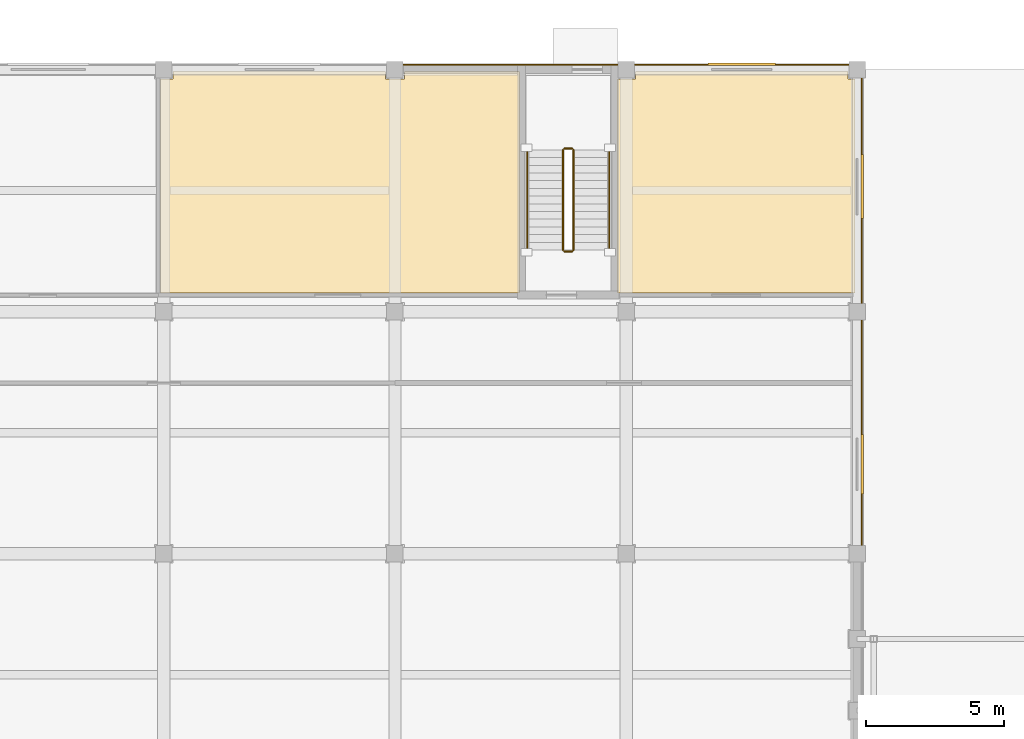
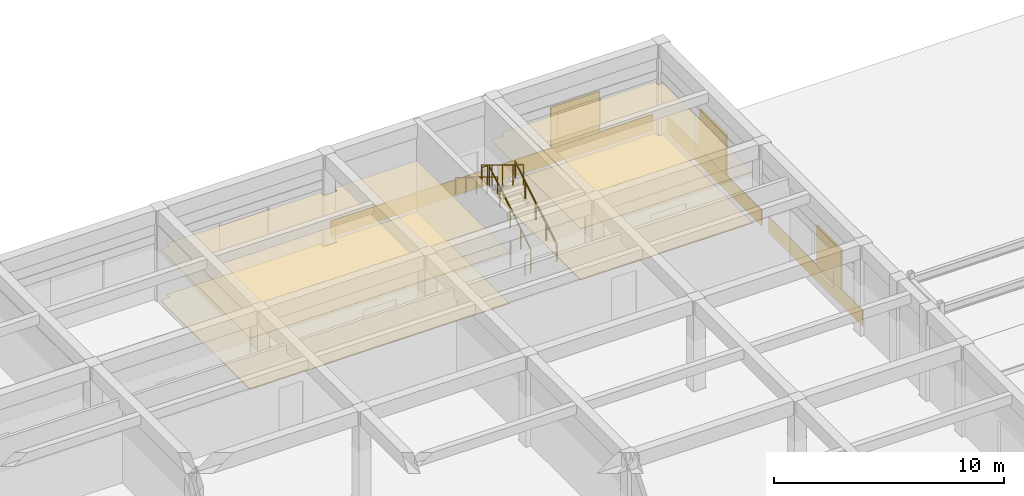
# One storey, part 55 of 58: 8 coverings, 6 railings, 3 shading devices.
"""IFC4 building model written with IfcOpenShell, lengths in metres."""

from ifc_helpers import new_model, si_unit, direction, frame, origin, origin_2d, place, context, subcontext, project, spatial, polyline, rectangle, circle, outline, extrude, material, layer, layer_set, type_object, element, save


model = new_model("IFC4")

# Units and contexts
model_context = context("Model", 3, precision=1e-05, world=origin(), true_north=direction((0.0, 1.0)))
body_context = subcontext(model_context, "Body", "Model", "MODEL_VIEW")
ifc_project = project(units=[si_unit("LENGTHUNIT", "METRE"), si_unit("AREAUNIT", "SQUARE_METRE"), si_unit("VOLUMEUNIT", "CUBIC_METRE"), si_unit("PLANEANGLEUNIT", "RADIAN"), si_unit("MASSUNIT", "GRAM", prefix="KILO")], contexts=[model_context])

# Site, building, storey
site_placement = place(None, origin())
site = spatial("IfcSite", under=ifc_project, at=site_placement, CompositionType="ELEMENT")
building_placement = place(site_placement, origin())
building = spatial("IfcBuilding", under=site, at=building_placement, Name="Kemercrest Conservatory and Botanical Centre", CompositionType="ELEMENT")
storey_placement = place(building_placement, origin())
storey = spatial("IfcBuildingStorey", under=building, at=storey_placement, Name="L00", CompositionType="ELEMENT", Elevation=0.0)

# Coverings
ifc_material_1 = material(Name="Honed limestone almasik ashlar rainscreen", Category="masonry")
ifc_layer_1 = layer(ifc_material_1, 0.0400390625)
ifc_layer_set_1 = layer_set([ifc_layer_1], Name="Honed limestone almasik ashlar rainscreen")
covering_type_1 = type_object("IfcCoveringType", Name="CV-CLD040", PredefinedType="CLADDING", material=ifc_layer_set_1)
covering_1_placement = place(storey_placement, origin())
element("IfcCovering", 1, at=covering_1_placement, inside=storey, type_object=covering_type_1, Name="Exterior stone spandrel cladding (WAL:L00:EXT-080)", PredefinedType="CLADDING", context=body_context, shape_type="SweptSolid", body=[
    extrude(outline(polyline([(92.14990234375, 105.110107421875), (92.18994140625, 105.110107421875), (92.18994140625, 113.2900390625), (92.14990234375, 113.2900390625), (92.14990234375, 105.110107421875)])), origin(), (0.0, 0.0, 1.0), 0.85009765625),
])
covering_2_placement = place(storey_placement, origin())
element("IfcCovering", 2, at=covering_2_placement, inside=storey, type_object=covering_type_1, Name="Exterior stone spandrel cladding (WAL:L00:EXT-081)", PredefinedType="CLADDING", context=body_context, shape_type="SweptSolid", body=[
    extrude(outline(polyline([(92.14990234375, 113.909912109375), (92.18994140625, 113.909912109375), (92.18994140625, 122.090087890625), (92.14990234375, 122.090087890625), (92.14990234375, 113.909912109375)])), origin(), (0.0, 0.0, 1.0), 0.85009765625),
])
covering_3_placement = place(storey_placement, origin())
element("IfcCovering", 3, at=covering_3_placement, inside=storey, type_object=covering_type_1, Name="Exterior stone spandrel cladding (WAL:L00:EXT-082)", PredefinedType="CLADDING", context=body_context, shape_type="SweptSolid", body=[
    extrude(outline(polyline([(91.68994140625, 122.550048828125), (91.68994140625, 122.590087890625), (83.909912109375, 122.590087890625), (83.909912109375, 122.550048828125), (91.68994140625, 122.550048828125)])), origin(), (0.0, 0.0, 1.0), 0.85009765625),
])
covering_4_placement = place(storey_placement, origin())
element("IfcCovering", 4, at=covering_4_placement, inside=storey, type_object=covering_type_1, Name="Exterior stone spandrel cladding (WAL:L00:EXT-083)", PredefinedType="CLADDING", context=body_context, shape_type="SweptSolid", body=[
    extrude(outline(polyline([(83.2900390625, 122.550048828125), (83.2900390625, 122.590087890625), (75.510009765625, 122.590087890625), (75.510009765625, 122.550048828125), (83.2900390625, 122.550048828125)])), origin(), (0.0, 0.0, 1.0), 0.85009765625),
])
ifc_material_2 = material(Name="Perforated acoustic gypsum and mineral-fibre suspended ceiling", Category="gypsum")
ifc_layer_2 = layer(ifc_material_2, 0.034912109375)
ifc_layer_set_2 = layer_set([ifc_layer_2], Name="Perforated acoustic gypsum and mineral-fibre suspended ceiling")
covering_type_2 = type_object("IfcCoveringType", Name="CV-CLG035", PredefinedType="CEILING", material=ifc_layer_set_2)
covering_5_placement = place(storey_placement, frame((0.0, 0.0, 2.699951171875)))
element("IfcCovering", 5, at=covering_5_placement, inside=storey, type_object=covering_type_2, Name="Botanical Education Resource Room suspended acoustic ceiling", PredefinedType="CEILING", context=body_context, shape_type="SweptSolid", body=[
    extrude(outline(polyline([(66.679931640625, 114.280029296875), (79.719970703125, 114.280029296875), (79.719970703125, 122.320068359375), (75.5400390625, 122.320068359375), (75.5400390625, 122.06005859375), (74.860107421875, 122.06005859375), (74.860107421875, 122.320068359375), (67.139892578125, 122.320068359375), (67.139892578125, 122.06005859375), (66.679931640625, 122.06005859375), (66.679931640625, 114.280029296875)])), origin(), (0.0, 0.0, 1.0), 0.03515625),
])
covering_6_placement = place(storey_placement, frame((0.0, 0.0, 2.699951171875)))
element("IfcCovering", 6, at=covering_6_placement, inside=storey, type_object=covering_type_2, Name="Curatorial Receiving Office suspended acoustic ceiling", PredefinedType="CEILING", context=body_context, shape_type="SweptSolid", body=[
    extrude(outline(polyline([(83.280029296875, 114.280029296875), (91.919921875, 114.280029296875), (91.919921875, 122.06005859375), (91.659912109375, 122.06005859375), (91.659912109375, 122.320068359375), (83.93994140625, 122.320068359375), (83.93994140625, 122.06005859375), (83.280029296875, 122.06005859375), (83.280029296875, 114.280029296875)])), origin(), (0.0, 0.0, 1.0), 0.03515625),
])
ifc_material_3 = material(Name="Polished limestone terrazzo and seamless laboratory epoxy flooring", Category="masonry")
ifc_layer_3 = layer(ifc_material_3, 0.02001953125)
ifc_layer_set_3 = layer_set([ifc_layer_3], Name="Polished limestone terrazzo and seamless laboratory epoxy flooring")
covering_type_3 = type_object("IfcCoveringType", Name="CV-FLR020", PredefinedType="FLOORING", material=ifc_layer_set_3)
covering_7_placement = place(storey_placement, origin())
element("IfcCovering", 7, at=covering_7_placement, inside=storey, type_object=covering_type_3, Name="Botanical Education Resource Room floor finish", PredefinedType="FLOORING", context=body_context, shape_type="SweptSolid", body=[
    extrude(outline(polyline([(66.679931640625, 114.280029296875), (79.719970703125, 114.280029296875), (79.719970703125, 122.320068359375), (75.5400390625, 122.320068359375), (75.5400390625, 122.06005859375), (74.860107421875, 122.06005859375), (74.860107421875, 122.320068359375), (67.139892578125, 122.320068359375), (67.139892578125, 122.06005859375), (66.679931640625, 122.06005859375), (66.679931640625, 114.280029296875)])), origin(), (0.0, 0.0, 1.0), 0.02001953125),
])
covering_8_placement = place(storey_placement, origin())
element("IfcCovering", 8, at=covering_8_placement, inside=storey, type_object=covering_type_3, Name="Curatorial Receiving Office floor finish", PredefinedType="FLOORING", context=body_context, shape_type="SweptSolid", body=[
    extrude(outline(polyline([(83.280029296875, 114.280029296875), (91.919921875, 114.280029296875), (91.919921875, 122.06005859375), (91.659912109375, 122.06005859375), (91.659912109375, 122.320068359375), (83.93994140625, 122.320068359375), (83.93994140625, 122.06005859375), (83.280029296875, 122.06005859375), (83.280029296875, 114.280029296875)])), origin(), (0.0, 0.0, 1.0), 0.02001953125),
])

# Railings
ifc_material_4 = material(Name="Painted galvanized steel tubular stair guardrail", Category="steel")
railing_type_1 = type_object("IfcRailingType", Name="GR-STR110", PredefinedType="GUARDRAIL", material=ifc_material_4)
railing_1_placement = place(storey_placement, frame((81.68994140625, 115.840087890625, 0.17138671875)))
element("IfcRailing", 9, at=railing_1_placement, inside=storey, type_object=railing_type_1, Name="L00 ST-V3B stair guard 1", PredefinedType="GUARDRAIL", context=body_context, shape_type="SweptSolid", body=[
    extrude(circle(Radius=0.02392578125, at=origin_2d()), frame((0.0, 0.0, 1.076171875), z_axis=(0.0, 0.852850264322, 0.5221555579), x_axis=(-1.0, 0.0, 0.0)), (0.0, 0.0, 1.0), 4.267822265625),
    extrude(circle(Radius=0.02099609375, at=origin_2d()), origin(), (0.0, 0.0, 1.0), 1.052001953125),
    extrude(circle(Radius=0.02099609375, at=origin_2d()), frame((0.0, 0.909912109375, 0.55712890625)), (0.0, 0.0, 1.0), 1.052001953125),
    extrude(circle(Radius=0.02099609375, at=origin_2d()), frame((0.0, 1.81982421875, 1.1142578125)), (0.0, 0.0, 1.0), 1.052001953125),
    extrude(circle(Radius=0.02099609375, at=origin_2d()), frame((0.0, 2.72998046875, 1.67138671875)), (0.0, 0.0, 1.0), 1.052001953125),
    extrude(circle(Radius=0.02099609375, at=origin_2d()), frame((0.0, 3.639892578125, 2.228515625)), (0.0, 0.0, 1.0), 1.052001953125),
])
railing_2_placement = place(storey_placement, frame((81.639892578125, 119.530029296875, 2.39990234375)))
element("IfcRailing", 10, at=railing_2_placement, inside=storey, type_object=railing_type_1, Name="L00 ST-V3B stair guard 2", PredefinedType="GUARDRAIL", context=body_context, shape_type="SweptSolid", body=[
    extrude(circle(Radius=0.02392578125, at=origin_2d()), frame((0.0, 0.0, 1.076171875), z_axis=(-1.0, 0.0, 0.0), x_axis=(0.0, -1.0, 0.0)), (0.0, 0.0, 1.0), 0.27978515625),
    extrude(circle(Radius=0.02099609375, at=origin_2d()), origin(), (0.0, 0.0, 1.0), 1.052001953125),
    extrude(circle(Radius=0.02099609375, at=origin_2d()), frame((-0.27978515625, 0.0, 0.0)), (0.0, 0.0, 1.0), 1.052001953125),
])
railing_3_placement = place(storey_placement, frame((81.31005859375, 119.47998046875, 2.571533203125)))
element("IfcRailing", 11, at=railing_3_placement, inside=storey, type_object=railing_type_1, Name="L00 ST-V3B stair guard 3", PredefinedType="GUARDRAIL", context=body_context, shape_type="SweptSolid", body=[
    extrude(circle(Radius=0.02392578125, at=origin_2d()), frame((0.0, 0.0, 1.076171875), z_axis=(0.0, -0.852850264322, 0.5221555579), x_axis=(1.0, 0.0, 0.0)), (0.0, 0.0, 1.0), 4.267822265625),
    extrude(circle(Radius=0.02099609375, at=origin_2d()), origin(), (0.0, 0.0, 1.0), 1.052001953125),
    extrude(circle(Radius=0.02099609375, at=origin_2d()), frame((0.0, -0.909912109375, 0.55712890625)), (0.0, 0.0, 1.0), 1.052001953125),
    extrude(circle(Radius=0.02099609375, at=origin_2d()), frame((0.0, -1.81982421875, 1.1142578125)), (0.0, 0.0, 1.0), 1.052001953125),
    extrude(circle(Radius=0.02099609375, at=origin_2d()), frame((0.0, -2.72998046875, 1.67138671875)), (0.0, 0.0, 1.0), 1.052001953125),
    extrude(circle(Radius=0.02099609375, at=origin_2d()), frame((0.0, -3.639892578125, 2.228515625)), (0.0, 0.0, 1.0), 1.052001953125),
])
railing_4_placement = place(storey_placement, frame((81.639892578125, 115.7900390625, 0.0)))
element("IfcRailing", 12, at=railing_4_placement, inside=storey, type_object=railing_type_1, Name="L00 ST-V3B stair guard 4", PredefinedType="GUARDRAIL", context=body_context, shape_type="SweptSolid", body=[
    extrude(circle(Radius=0.02392578125, at=origin_2d()), frame((0.0, 0.0, 1.076171875), z_axis=(-1.0, 0.0, 0.0), x_axis=(0.0, -1.0, 0.0)), (0.0, 0.0, 1.0), 0.27978515625),
    extrude(circle(Radius=0.02099609375, at=origin_2d()), origin(), (0.0, 0.0, 1.0), 1.052001953125),
    extrude(circle(Radius=0.02099609375, at=origin_2d()), frame((-0.27978515625, 0.0, 0.0)), (0.0, 0.0, 1.0), 1.052001953125),
])
ifc_material_5 = material(Name="Brushed stainless steel wall-mounted handrail", Category="steel")
railing_type_2 = type_object("IfcRailingType", Name="HR-STR090", PredefinedType="HANDRAIL", material=ifc_material_5)
railing_5_placement = place(storey_placement, frame((82.989990234375, 115.840087890625, 0.17138671875)))
element("IfcRailing", 13, at=railing_5_placement, inside=storey, type_object=railing_type_2, Name="L00 ST-V3B stair handrail 1", PredefinedType="HANDRAIL", context=body_context, shape_type="SweptSolid", body=[
    extrude(circle(Radius=0.02392578125, at=origin_2d()), frame((0.0, 0.0, 0.8759765625), z_axis=(0.0, 0.852850264322, 0.5221555579), x_axis=(-1.0, 0.0, 0.0)), (0.0, 0.0, 1.0), 4.267822265625),
    extrude(circle(Radius=0.02099609375, at=origin_2d()), origin(), (0.0, 0.0, 1.0), 0.851806640625),
    extrude(circle(Radius=0.02099609375, at=origin_2d()), frame((0.0, 0.909912109375, 0.55712890625)), (0.0, 0.0, 1.0), 0.851806640625),
    extrude(circle(Radius=0.02099609375, at=origin_2d()), frame((0.0, 1.81982421875, 1.1142578125)), (0.0, 0.0, 1.0), 0.851806640625),
    extrude(circle(Radius=0.02099609375, at=origin_2d()), frame((0.0, 2.72998046875, 1.67138671875)), (0.0, 0.0, 1.0), 0.851806640625),
    extrude(circle(Radius=0.02099609375, at=origin_2d()), frame((0.0, 3.639892578125, 2.228515625)), (0.0, 0.0, 1.0), 0.851806640625),
])
railing_6_placement = place(storey_placement, frame((80.010009765625, 119.47998046875, 2.571533203125)))
element("IfcRailing", 14, at=railing_6_placement, inside=storey, type_object=railing_type_2, Name="L00 ST-V3B stair handrail 2", PredefinedType="HANDRAIL", context=body_context, shape_type="SweptSolid", body=[
    extrude(circle(Radius=0.02392578125, at=origin_2d()), frame((0.0, 0.0, 0.8759765625), z_axis=(0.0, -0.852850264322, 0.5221555579), x_axis=(1.0, 0.0, 0.0)), (0.0, 0.0, 1.0), 4.267822265625),
    extrude(circle(Radius=0.02099609375, at=origin_2d()), origin(), (0.0, 0.0, 1.0), 0.851806640625),
    extrude(circle(Radius=0.02099609375, at=origin_2d()), frame((0.0, -0.909912109375, 0.55712890625)), (0.0, 0.0, 1.0), 0.851806640625),
    extrude(circle(Radius=0.02099609375, at=origin_2d()), frame((0.0, -1.81982421875, 1.1142578125)), (0.0, 0.0, 1.0), 0.851806640625),
    extrude(circle(Radius=0.02099609375, at=origin_2d()), frame((0.0, -2.72998046875, 1.67138671875)), (0.0, 0.0, 1.0), 0.851806640625),
    extrude(circle(Radius=0.02099609375, at=origin_2d()), frame((0.0, -3.639892578125, 2.228515625)), (0.0, 0.0, 1.0), 0.851806640625),
])

# Shading devices
ifc_material_6 = material(Name="Perforated bronze-anodized aluminium", Category="aluminium")
shading_device_type_1 = type_object("IfcShadingDeviceType", Name="SH-MS01", PredefinedType="USERDEFINED", material=ifc_material_6)
shading_device_1_placement = place(storey_placement, frame((92.18798828125, 108.054931640625, 0.81982421875), z_axis=(0.0, 0.0, 1.0), x_axis=(0.0, 1.0, 0.0)))
element("IfcShadingDevice", 15, at=shading_device_1_placement, inside=storey, type_object=shading_device_type_1, Name="Ottoman mashrabiya perforated screen SH-MS01 (WIN:L00:EXT-080)", ObjectType="MASHRABIYA SCREEN", PredefinedType="USERDEFINED", context=body_context, shape_type="SweptSolid", body=[
    extrude(rectangle(XDim=2.159912109375, YDim=0.080078125, at=origin_2d()), origin(), (0.0, 0.0, 1.0), 2.1201171875),
])
shading_device_type_2 = type_object("IfcShadingDeviceType", Name="SH-MS02", PredefinedType="USERDEFINED", material=ifc_material_6)
shading_device_2_placement = place(storey_placement, frame((92.18798828125, 118.14501953125, 0.81982421875), z_axis=(0.0, 0.0, 1.0), x_axis=(0.0, 1.0, 0.0)))
element("IfcShadingDevice", 16, at=shading_device_2_placement, inside=storey, type_object=shading_device_type_2, Name="Ottoman mashrabiya perforated screen SH-MS02 (WIN:L00:EXT-081)", ObjectType="MASHRABIYA SCREEN", PredefinedType="USERDEFINED", context=body_context, shape_type="SweptSolid", body=[
    extrude(rectangle(XDim=2.320068359375, YDim=0.080078125, at=origin_2d()), origin(), (0.0, 0.0, 1.0), 2.139892578125),
])
shading_device_type_3 = type_object("IfcShadingDeviceType", Name="SH-MS03", PredefinedType="USERDEFINED", material=ifc_material_6)
shading_device_3_placement = place(storey_placement, frame((87.800048828125, 122.587890625, 0.81982421875), z_axis=(0.0, 0.0, 1.0), x_axis=(-1.0, 0.0, 0.0)))
element("IfcShadingDevice", 17, at=shading_device_3_placement, inside=storey, type_object=shading_device_type_3, Name="Ottoman mashrabiya perforated screen SH-MS03 (WIN:L00:EXT-082)", ObjectType="MASHRABIYA SCREEN", PredefinedType="USERDEFINED", context=body_context, shape_type="SweptSolid", body=[
    extrude(rectangle(XDim=2.4599609375, YDim=0.080078125, at=origin_2d()), origin(), (0.0, 0.0, 1.0), 2.179931640625),
])

save(model, "model.ifc")
